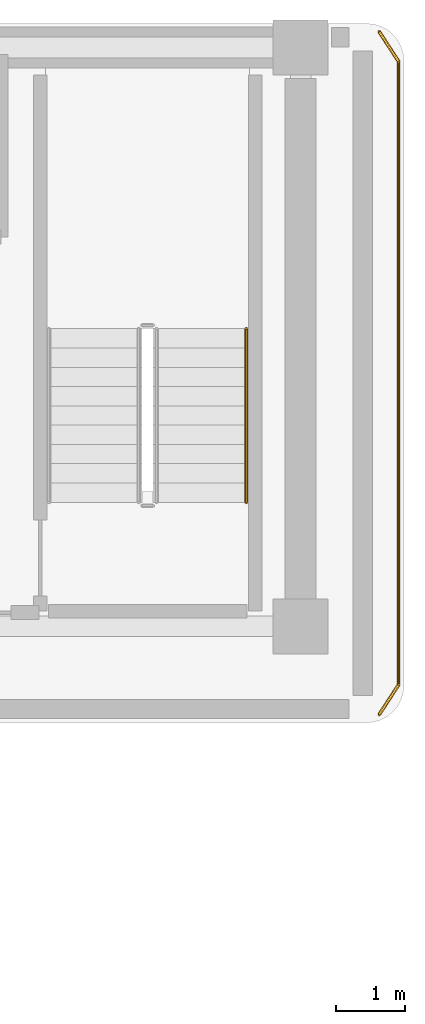
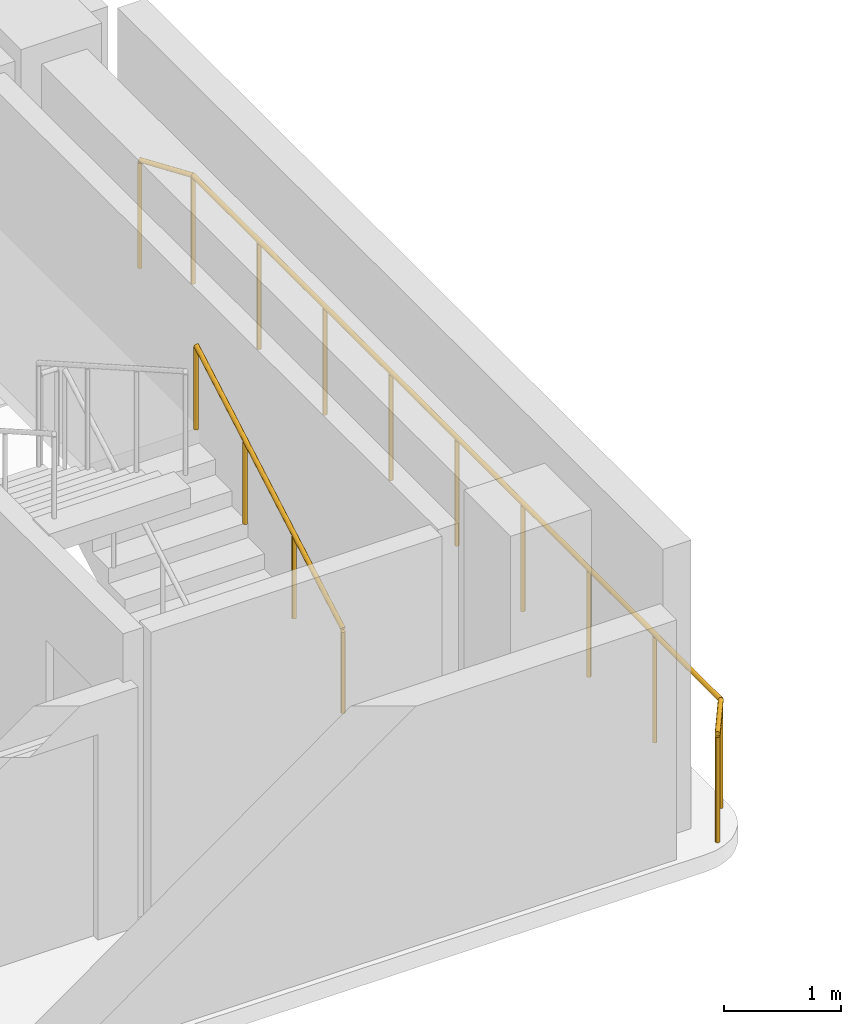
# One storey, part 5 of 5: 4 railings.
"""IFC4 building model written with IfcOpenShell, lengths in metres."""

from ifc_helpers import new_model, si_unit, direction, frame, origin, origin_2d, place, context, subcontext, project, spatial, circle, extrude, material, layer, layer_set, type_object, element, save


model = new_model("IFC4")

# Units and contexts
model_context = context("Model", 3, precision=1e-05, world=origin(), true_north=direction((0.0, 1.0)))
body_context = subcontext(model_context, "Body", "Model", "MODEL_VIEW")
ifc_project = project(units=[si_unit("LENGTHUNIT", "METRE"), si_unit("AREAUNIT", "SQUARE_METRE"), si_unit("VOLUMEUNIT", "CUBIC_METRE"), si_unit("PLANEANGLEUNIT", "RADIAN"), si_unit("MASSUNIT", "GRAM", prefix="KILO")], contexts=[model_context])

# Site, building, storey
site_placement = place(None, origin())
site = spatial("IfcSite", under=ifc_project, at=site_placement, CompositionType="ELEMENT")
building_placement = place(site_placement, origin())
building = spatial("IfcBuilding", under=site, at=building_placement, Name="Kuzgunbayir Cultural Tower", CompositionType="ELEMENT")
storey_placement = place(building_placement, frame((0.0, 0.0, 224.800048828125)))
storey = spatial("IfcBuildingStorey", under=building, at=storey_placement, Name="L66", CompositionType="ELEMENT", Elevation=224.800048828125)

# Railings
ifc_material_1 = material(Name="Laminated Glass and Stainless Steel", Category="steel")
ifc_layer_1 = layer(ifc_material_1, 0.080078125)
ifc_layer_set_1 = layer_set([ifc_layer_1], Name="Laminated Glass and Stainless Steel")
railing_type_1 = type_object("IfcRailingType", Name="RLG-BAL-115", PredefinedType="BALUSTRADE", material=ifc_layer_set_1)
railing_1_placement = place(storey_placement, frame((28.0400390625, 42.429931640625, 0.0)))
element("IfcRailing", 1, at=railing_1_placement, inside=storey, type_object=railing_type_1, Name="L66 Perimeter Edge Guard 1", PredefinedType="BALUSTRADE", context=body_context, shape_type="SweptSolid", body=[
    extrude(circle(Radius=0.02392578125, at=origin_2d()), frame((0.0, 0.0, 1.1259765625), z_axis=(0.545774188207, -0.837932297675, 0.0), x_axis=(0.837932297675, 0.545774188207, 0.0)), (0.0, 0.0, 1.0), 0.51318359375),
    extrude(circle(Radius=0.02099609375, at=origin_2d()), origin(), (0.0, 0.0, 1.0), 1.101806640625),
    extrude(circle(Radius=0.02099609375, at=origin_2d()), frame((0.280029296875, -0.429931640625, 0.0)), (0.0, 0.0, 1.0), 1.101806640625),
])
railing_2_placement = place(storey_placement, frame((28.320068359375, 42.0, 0.0)))
element("IfcRailing", 2, at=railing_2_placement, inside=storey, type_object=railing_type_1, Name="L66 Perimeter Edge Guard 2", PredefinedType="BALUSTRADE", context=body_context, shape_type="SweptSolid", body=[
    extrude(circle(Radius=0.02392578125, at=origin_2d()), frame((0.0, 0.0, 1.1259765625), z_axis=(0.0, -1.0, 0.0), x_axis=(1.0, 0.0, 0.0)), (0.0, 0.0, 1.0), 9.050048828125),
    extrude(circle(Radius=0.02099609375, at=origin_2d()), origin(), (0.0, 0.0, 1.0), 1.101806640625),
    extrude(circle(Radius=0.02099609375, at=origin_2d()), frame((0.0, -1.13134765625, 0.0)), (0.0, 0.0, 1.0), 1.101806640625),
    extrude(circle(Radius=0.02099609375, at=origin_2d()), frame((0.0, -2.262451171875, 0.0)), (0.0, 0.0, 1.0), 1.101806640625),
    extrude(circle(Radius=0.02099609375, at=origin_2d()), frame((0.0, -3.393798828125, 0.0)), (0.0, 0.0, 1.0), 1.101806640625),
    extrude(circle(Radius=0.02099609375, at=origin_2d()), frame((0.0, -4.52490234375, 0.0)), (0.0, 0.0, 1.0), 1.101806640625),
    extrude(circle(Radius=0.02099609375, at=origin_2d()), frame((0.0, -5.65625, 0.0)), (0.0, 0.0, 1.0), 1.101806640625),
    extrude(circle(Radius=0.02099609375, at=origin_2d()), frame((0.0, -6.78759765625, 0.0)), (0.0, 0.0, 1.0), 1.101806640625),
    extrude(circle(Radius=0.02099609375, at=origin_2d()), frame((0.0, -7.918701171875, 0.0)), (0.0, 0.0, 1.0), 1.101806640625),
    extrude(circle(Radius=0.02099609375, at=origin_2d()), frame((0.0, -9.050048828125, 0.0)), (0.0, 0.0, 1.0), 1.101806640625),
])
railing_3_placement = place(storey_placement, frame((28.320068359375, 32.949951171875, 0.0)))
element("IfcRailing", 3, at=railing_3_placement, inside=storey, type_object=railing_type_1, Name="L66 Perimeter Edge Guard 3", PredefinedType="BALUSTRADE", context=body_context, shape_type="SweptSolid", body=[
    extrude(circle(Radius=0.02392578125, at=origin_2d()), frame((0.0, 0.0, 1.1259765625), z_axis=(-0.545774188207, -0.837932297675, 0.0), x_axis=(0.837932297675, -0.545774188207, 0.0)), (0.0, 0.0, 1.0), 0.51318359375),
    extrude(circle(Radius=0.02099609375, at=origin_2d()), origin(), (0.0, 0.0, 1.0), 1.101806640625),
    extrude(circle(Radius=0.02099609375, at=origin_2d()), frame((-0.280029296875, -0.429931640625, 0.0)), (0.0, 0.0, 1.0), 1.101806640625),
])
ifc_material_2 = material(Name="Brushed Stainless Steel", Category="steel")
ifc_layer_2 = layer(ifc_material_2, 0.050048828125)
ifc_layer_set_2 = layer_set([ifc_layer_2], Name="Brushed Stainless Steel")
railing_type_2 = type_object("IfcRailingType", Name="RLG-STAIR-HANDRAIL", PredefinedType="HANDRAIL", material=ifc_layer_set_2)
railing_4_placement = place(storey_placement, frame((26.110107421875, 35.60009765625, 0.159912109375)))
element("IfcRailing", 4, at=railing_4_placement, inside=storey, type_object=railing_type_2, Name="L66 ST-2 stair handrail 1", PredefinedType="HANDRAIL", context=body_context, shape_type="SweptSolid", body=[
    extrude(circle(Radius=0.02392578125, at=origin_2d()), frame((0.0, 0.0, 0.8759765625), z_axis=(0.0, 0.868253494771, 0.496120820787), x_axis=(-1.0, 0.0, 0.0)), (0.0, 0.0, 1.0), 2.90234375),
    extrude(circle(Radius=0.02099609375, at=origin_2d()), origin(), (0.0, 0.0, 1.0), 0.851806640625),
    extrude(circle(Radius=0.02099609375, at=origin_2d()), frame((0.0, 0.840087890625, 0.47998046875)), (0.0, 0.0, 1.0), 0.851806640625),
    extrude(circle(Radius=0.02099609375, at=origin_2d()), frame((0.0, 1.679931640625, 0.9599609375)), (0.0, 0.0, 1.0), 0.851806640625),
    extrude(circle(Radius=0.02099609375, at=origin_2d()), frame((0.0, 2.52001953125, 1.43994140625)), (0.0, 0.0, 1.0), 0.851806640625),
])

save(model, "model.ifc")
